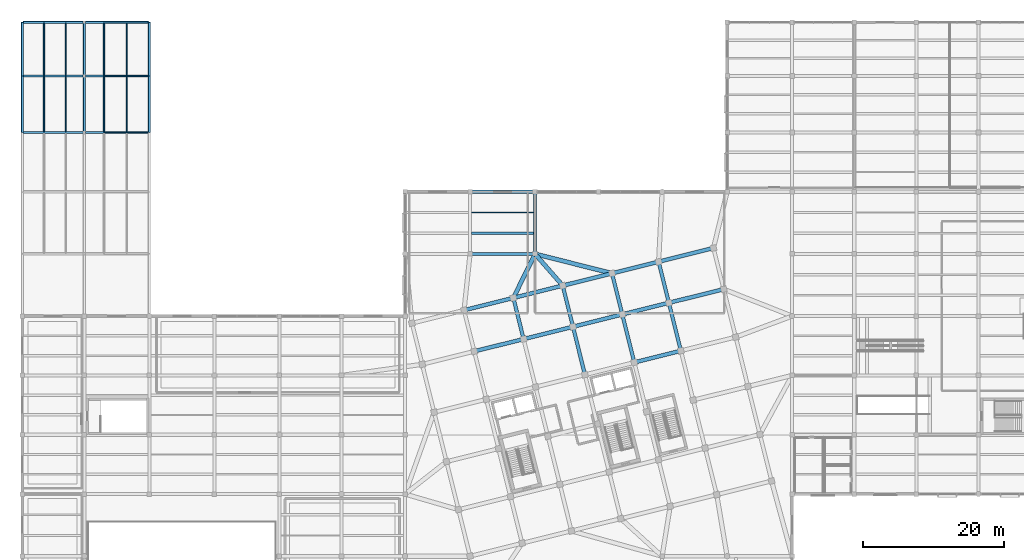
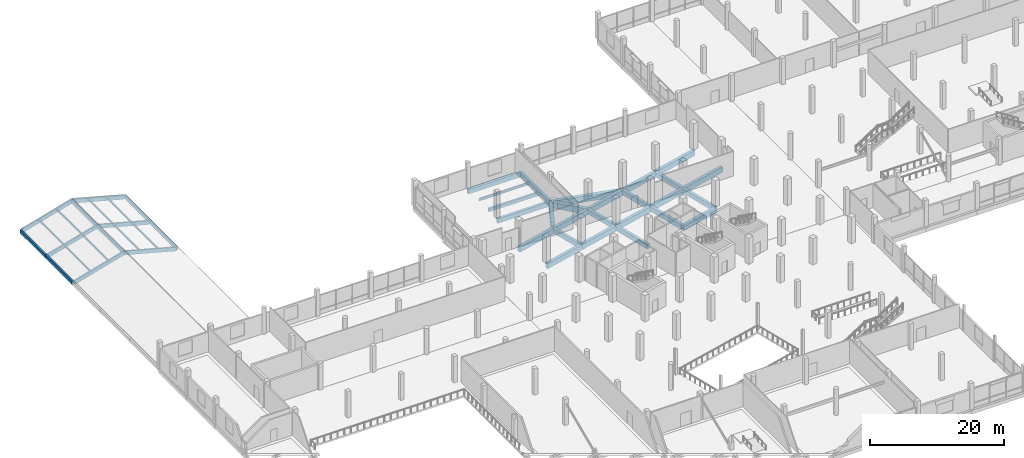
# One storey, part 32 of 71: 38 beams, 8 members.
"""IFC4 building model written with IfcOpenShell, lengths in metres."""

from ifc_helpers import new_model, si_unit, direction, frame, origin, origin_2d, place, context, subcontext, project, spatial, rectangle, i_section, extrude, material, material_profile, profile_set, type_object, element, save


model = new_model("IFC4")

# Units and contexts
model_context = context("Model", 3, precision=1e-05, world=origin(), true_north=direction((0.0, 1.0)))
body_context = subcontext(model_context, "Body", "Model", "MODEL_VIEW")
ifc_project = project(units=[si_unit("LENGTHUNIT", "METRE"), si_unit("AREAUNIT", "SQUARE_METRE"), si_unit("VOLUMEUNIT", "CUBIC_METRE"), si_unit("PLANEANGLEUNIT", "RADIAN"), si_unit("MASSUNIT", "GRAM", prefix="KILO")], contexts=[model_context])

# Site, building, storey
site_placement = place(None, origin())
site = spatial("IfcSite", under=ifc_project, at=site_placement, CompositionType="ELEMENT")
building_placement = place(site_placement, origin())
building = spatial("IfcBuilding", under=site, at=building_placement, Name="Meriwether Solvik Hall", CompositionType="ELEMENT")
storey_placement = place(building_placement, frame((0.0, 0.0, 5.10009765625)))
storey = spatial("IfcBuildingStorey", under=building, at=storey_placement, Name="L01", CompositionType="ELEMENT", Elevation=5.10009765625)

# Beams
ifc_material_1 = material(Name="Glulam Douglas-Fir 24F-V8 GL28h", Category="wood")
ifc_material_profile_1 = material_profile(ifc_material_1, rectangle(XDim=0.27294921875, YDim=0.610107421875, at=origin_2d()), Name="GLB-273X610")
ifc_profile_set_1 = profile_set([ifc_material_profile_1], Name="Glulam Douglas-Fir 24F-V8 GL28h")
beam_type_1 = type_object("IfcBeamType", Name="BM-GL-273X610", PredefinedType="SPANDREL", material=ifc_profile_set_1)
beam_1_placement = place(storey_placement, frame((5.199951171875, 101.199951171875, -0.32421875), z_axis=(0.0, 1.0, 0.0), x_axis=(-1.0, 0.0, 0.0)))
element("IfcBeam", 1, at=beam_1_placement, inside=storey, type_object=beam_type_1, Name="Roof Tie Beam 1:L-M (L01)", PredefinedType="SPANDREL", context=body_context, shape_type="SweptSolid", body=[
    extrude(rectangle(XDim=0.27294921875, YDim=0.610107421875, at=origin_2d()), origin(), (0.0, 0.0, 1.0), 8.0),
])
beam_2_placement = place(storey_placement, frame((5.199951171875, 109.199951171875, -0.32421875), z_axis=(0.0, 1.0, 0.0), x_axis=(-1.0, 0.0, 0.0)))
element("IfcBeam", 2, at=beam_2_placement, inside=storey, type_object=beam_type_1, Name="Roof Tie Beam 1:M-N (L01)", PredefinedType="SPANDREL", context=body_context, shape_type="SweptSolid", body=[
    extrude(rectangle(XDim=0.27294921875, YDim=0.610107421875, at=origin_2d()), origin(), (0.0, 0.0, 1.0), 7.60009765625),
])
beam_3_placement = place(storey_placement, frame((14.0, 101.199951171875, 2.15576171875), z_axis=(0.0, 1.0, 0.0), x_axis=(-1.0, 0.0, 0.0)))
element("IfcBeam", 3, at=beam_3_placement, inside=storey, type_object=beam_type_1, Name="Roof Tie Beam 2:L-M (L01)", PredefinedType="SPANDREL", context=body_context, shape_type="SweptSolid", body=[
    extrude(rectangle(XDim=0.27294921875, YDim=0.610107421875, at=origin_2d()), origin(), (0.0, 0.0, 1.0), 8.0),
])
beam_4_placement = place(storey_placement, frame((14.0, 109.199951171875, 2.15576171875), z_axis=(0.0, 1.0, 0.0), x_axis=(-1.0, 0.0, 0.0)))
element("IfcBeam", 4, at=beam_4_placement, inside=storey, type_object=beam_type_1, Name="Roof Tie Beam 2:M-N (L01)", PredefinedType="SPANDREL", context=body_context, shape_type="SweptSolid", body=[
    extrude(rectangle(XDim=0.27294921875, YDim=0.610107421875, at=origin_2d()), origin(), (0.0, 0.0, 1.0), 7.60009765625),
])
beam_5_placement = place(storey_placement, frame((23.199951171875, 101.199951171875, -0.32373046875), z_axis=(0.0, 1.0, 0.0), x_axis=(-1.0, 0.0, 0.0)))
element("IfcBeam", 5, at=beam_5_placement, inside=storey, type_object=beam_type_1, Name="Roof Tie Beam 3:L-M (L01)", PredefinedType="SPANDREL", context=body_context, shape_type="SweptSolid", body=[
    extrude(rectangle(XDim=0.27294921875, YDim=0.610107421875, at=origin_2d()), origin(), (0.0, 0.0, 1.0), 8.0),
])
beam_6_placement = place(storey_placement, frame((23.199951171875, 109.199951171875, -0.32373046875), z_axis=(0.0, 1.0, 0.0), x_axis=(-1.0, 0.0, 0.0)))
element("IfcBeam", 6, at=beam_6_placement, inside=storey, type_object=beam_type_1, Name="Roof Tie Beam 3:M-N (L01)", PredefinedType="SPANDREL", context=body_context, shape_type="SweptSolid", body=[
    extrude(rectangle(XDim=0.27294921875, YDim=0.610107421875, at=origin_2d()), origin(), (0.0, 0.0, 1.0), 7.60009765625),
])
ifc_material_2 = material(Name="Glulam Douglas-Fir 24F-V8 GL28h", Category="wood")
ifc_material_profile_2 = material_profile(ifc_material_2, rectangle(XDim=0.27294921875, YDim=0.68505859375, at=origin_2d()), Name="GLB-273X685")
ifc_profile_set_2 = profile_set([ifc_material_profile_2], Name="Glulam Douglas-Fir 24F-V8 GL28h")
beam_type_2 = type_object("IfcBeamType", Name="BM-GL-273X685", PredefinedType="BEAM", material=ifc_profile_set_2)
for number, where, z_axis, x_axis, name in (
    (7, (5.4208984375, 101.199951171875, -0.31298828125), (0.962504746474, 0.0, 0.271264839252), (0.0, 1.0, 0.0), "Raking Glulam Roof Rafter w0_gbl_w-L (L01)"),
    (8, (5.4208984375, 109.199951171875, -0.31298828125), (0.962504746474, 0.0, 0.271264839252), (0.0, 1.0, 0.0), "Raking Glulam Roof Rafter w0_gbl_w-M (L01)"),
    (9, (5.4208984375, 116.800048828125, -0.31298828125), (0.962504746474, 0.0, 0.271264839252), (0.0, 1.0, 0.0), "Raking Glulam Roof Rafter w0_gbl_w-N (L01)"),
):
    element("IfcBeam", number, at=place(storey_placement, frame(where, z_axis=z_axis, x_axis=x_axis)), inside=storey, type_object=beam_type_2, Name=name, PredefinedType="BEAM", context=body_context, shape_type="SweptSolid", body=[
        extrude(rectangle(XDim=0.27294921875, YDim=0.68505859375, at=origin_2d()), origin(), (0.0, 0.0, 1.0), 8.876708984375),
    ])
for number, where, z_axis, x_axis, name in (
    (10, (22.98291015625, 101.199951171875, -0.31494140625), (-0.965538102736, 0.0, 0.260261737806), (0.0, -1.0, 0.0), "Raking Glulam Roof Rafter w0_gbl_e-L (L01)"),
    (11, (22.98291015625, 109.199951171875, -0.31494140625), (-0.965538102736, 0.0, 0.260261737806), (0.0, -1.0, 0.0), "Raking Glulam Roof Rafter w0_gbl_e-M (L01)"),
    (12, (22.98291015625, 116.800048828125, -0.31494140625), (-0.965538102736, 0.0, 0.260261737806), (0.0, -1.0, 0.0), "Raking Glulam Roof Rafter w0_gbl_e-N (L01)"),
):
    element("IfcBeam", number, at=place(storey_placement, frame(where, z_axis=z_axis, x_axis=x_axis)), inside=storey, type_object=beam_type_2, Name=name, PredefinedType="BEAM", context=body_context, shape_type="SweptSolid", body=[
        extrude(rectangle(XDim=0.27294921875, YDim=0.68505859375, at=origin_2d()), origin(), (0.0, 0.0, 1.0), 9.263427734375),
    ])
ifc_material_3 = material(Name="Concrete C40/50", Category="concrete")
ifc_material_profile_3 = material_profile(ifc_material_3, rectangle(XDim=0.35009765625, YDim=0.60009765625, at=origin_2d()), Name="RCB-350X600")
ifc_profile_set_3 = profile_set([ifc_material_profile_3], Name="Concrete C40/50")
beam_type_3 = type_object("IfcBeamType", Name="BM-RC-350X600", PredefinedType="JOIST", material=ifc_profile_set_3)
beam_7_placement = place(storey_placement, frame((68.820068359375, 86.933349609375, -0.60009765625), z_axis=(1.0, 0.0, 0.0), x_axis=(0.0, 1.0, 0.0)))
element("IfcBeam", 13, at=beam_7_placement, inside=storey, type_object=beam_type_3, Name="Secondary Floor Joist 8/J_J1 (L01)", PredefinedType="JOIST", context=body_context, shape_type="SweptSolid", body=[
    extrude(rectangle(XDim=0.35009765625, YDim=0.60009765625, at=origin_2d()), origin(), (0.0, 0.0, 1.0), 8.760009765625),
])
ifc_material_4 = material(Name="Concrete C40/50", Category="concrete")
ifc_material_profile_4 = material_profile(ifc_material_4, rectangle(XDim=0.449951171875, YDim=0.699951171875, at=origin_2d()), Name="RCB-450X700")
ifc_profile_set_4 = profile_set([ifc_material_profile_4], Name="Concrete C40/50")
beam_type_4 = type_object("IfcBeamType", Name="BM-RC-450X700", PredefinedType="BEAM", material=ifc_profile_set_4)
beam_8_placement = place(storey_placement, frame((77.800048828125, 84.0, -0.650146484375), z_axis=(0.0, 1.0, 0.0), x_axis=(-1.0, 0.0, 0.0)))
element("IfcBeam", 14, at=beam_8_placement, inside=storey, type_object=beam_type_4, Name="Podium Girder 9:J-K (L01)", PredefinedType="BEAM", context=body_context, shape_type="SweptSolid", body=[
    extrude(rectangle(XDim=0.449951171875, YDim=0.699951171875, at=origin_2d()), origin(), (0.0, 0.0, 1.0), 8.800048828125),
])
ifc_material_5 = material(Name="Concrete C40/50", Category="concrete")
ifc_material_profile_5 = material_profile(ifc_material_5, rectangle(XDim=0.449951171875, YDim=0.800048828125, at=origin_2d()), Name="RCB-450X800")
ifc_profile_set_5 = profile_set([ifc_material_profile_5], Name="Concrete C40/50")
beam_type_5 = type_object("IfcBeamType", Name="BM-RC-450X800", PredefinedType="BEAM", material=ifc_profile_set_5)
for number, where, z_axis, x_axis, name in (
    (15, (68.60009765625, 84.0, -0.7001953125), (1.0, 0.0, 0.0), (0.0, 1.0, 0.0), "Podium Girder J:8-9 (L01)"),
    (16, (68.60009765625, 92.800048828125, -0.7001953125), (1.0, 0.0, 0.0), (0.0, 1.0, 0.0), "Podium Girder K:8-9 (L01)"),
):
    element("IfcBeam", number, at=place(storey_placement, frame(where, z_axis=z_axis, x_axis=x_axis)), inside=storey, type_object=beam_type_5, Name=name, PredefinedType="BEAM", context=body_context, shape_type="SweptSolid", body=[
        extrude(rectangle(XDim=0.449951171875, YDim=0.800048828125, at=origin_2d()), origin(), (0.0, 0.0, 1.0), 9.199951171875),
    ])
ifc_material_6 = material(Name="Concrete C40/50", Category="concrete")
ifc_material_profile_6 = material_profile(ifc_material_6, rectangle(XDim=0.5, YDim=0.85009765625, at=origin_2d()), Name="RCB-500X850")
ifc_profile_set_6 = profile_set([ifc_material_profile_6], Name="Concrete C40/50")
beam_type_6 = type_object("IfcBeamType", Name="BM-RC-500X850", PredefinedType="BEAM", material=ifc_profile_set_6)
beam_9_placement = place(storey_placement, frame((76.1865234375, 71.94873046875, -0.72509765625), z_axis=(-0.241903677572, 0.970300268359, 0.0), x_axis=(-0.970300268359, -0.241903677572, 0.0)))
element("IfcBeam", 17, at=beam_9_placement, inside=storey, type_object=beam_type_6, Name="Tower Girder T3:TE-TF (L01)", PredefinedType="BEAM", context=body_context, shape_type="SweptSolid", body=[
    extrude(rectangle(XDim=0.5, YDim=0.85009765625, at=origin_2d()), origin(), (0.0, 0.0, 1.0), 6.0),
])
beam_10_placement = place(storey_placement, frame((84.8662109375, 66.8984375, -0.72509765625), z_axis=(-0.241936527961, 0.970292077901, 0.0), x_axis=(-0.970292077901, -0.241936527961, 0.0)))
element("IfcBeam", 18, at=beam_10_placement, inside=storey, type_object=beam_type_6, Name="Tower Girder T4:TD-TE (L01)", PredefinedType="BEAM", context=body_context, shape_type="SweptSolid", body=[
    extrude(rectangle(XDim=0.5, YDim=0.85009765625, at=origin_2d()), origin(), (0.0, 0.0, 1.0), 7.000244140625),
])
beam_11_placement = place(storey_placement, frame((83.172607421875, 73.690673828125, -0.72509765625), z_axis=(-0.241903677572, 0.970300268359, 0.0), x_axis=(-0.970300268359, -0.241903677572, 0.0)))
element("IfcBeam", 19, at=beam_11_placement, inside=storey, type_object=beam_type_6, Name="Tower Girder T4:TE-TF (L01)", PredefinedType="BEAM", context=body_context, shape_type="SweptSolid", body=[
    extrude(rectangle(XDim=0.5, YDim=0.85009765625, at=origin_2d()), origin(), (0.0, 0.0, 1.0), 6.0),
])
beam_12_placement = place(storey_placement, frame((91.852294921875, 68.640380859375, -0.72509765625), z_axis=(-0.241911879182, 0.970298223594, 0.0), x_axis=(-0.970298223594, -0.241911879182, 0.0)))
element("IfcBeam", 20, at=beam_12_placement, inside=storey, type_object=beam_type_6, Name="Tower Girder T5:TD-TE (L01)", PredefinedType="BEAM", context=body_context, shape_type="SweptSolid", body=[
    extrude(rectangle(XDim=0.5, YDim=0.85009765625, at=origin_2d()), origin(), (0.0, 0.0, 1.0), 7.0),
])
beam_13_placement = place(storey_placement, frame((90.158935546875, 75.432373046875, -0.72509765625), z_axis=(-0.241941986192, 0.970290716908, 0.0), x_axis=(-0.970290716908, -0.241941986192, 0.0)))
element("IfcBeam", 21, at=beam_13_placement, inside=storey, type_object=beam_type_6, Name="Tower Girder T5:TE-TF (L01)", PredefinedType="BEAM", context=body_context, shape_type="SweptSolid", body=[
    extrude(rectangle(XDim=0.5, YDim=0.85009765625, at=origin_2d()), origin(), (0.0, 0.0, 1.0), 6.0),
])
beam_14_placement = place(storey_placement, frame((98.4501953125, 70.285400390625, -0.72509765625), z_axis=(-0.241911879182, 0.970298223594, 0.0), x_axis=(-0.970298223594, -0.241911879182, 0.0)))
element("IfcBeam", 22, at=beam_14_placement, inside=storey, type_object=beam_type_6, Name="Tower Girder T6:TD-TE (L01)", PredefinedType="BEAM", context=body_context, shape_type="SweptSolid", body=[
    extrude(rectangle(XDim=0.5, YDim=0.85009765625, at=origin_2d()), origin(), (0.0, 0.0, 1.0), 7.0),
])
beam_15_placement = place(storey_placement, frame((96.7568359375, 77.077392578125, -0.72509765625), z_axis=(-0.241903677572, 0.970300268359, 0.0), x_axis=(-0.970300268359, -0.241903677572, 0.0)))
element("IfcBeam", 23, at=beam_15_placement, inside=storey, type_object=beam_type_6, Name="Tower Girder T6:TE-TF (L01)", PredefinedType="BEAM", context=body_context, shape_type="SweptSolid", body=[
    extrude(rectangle(XDim=0.5, YDim=0.85009765625, at=origin_2d()), origin(), (0.0, 0.0, 1.0), 6.0),
])
ifc_material_7 = material(Name="Concrete C40/50", Category="concrete")
ifc_material_profile_7 = material_profile(ifc_material_7, rectangle(XDim=0.550048828125, YDim=0.949951171875, at=origin_2d()), Name="RCB-550X950")
ifc_profile_set_7 = profile_set([ifc_material_profile_7], Name="Concrete C40/50")
beam_type_7 = type_object("IfcBeamType", Name="BM-RC-550X950", PredefinedType="BEAM", material=ifc_profile_set_7)
beam_16_placement = place(storey_placement, frame((91.852294921875, 68.640380859375, -0.775146484375), z_axis=(0.970296478685, 0.241918877831, 0.0), x_axis=(-0.241918877831, 0.970296478685, 0.0)))
element("IfcBeam", 24, at=beam_16_placement, inside=storey, type_object=beam_type_7, Name="Tower Girder TD:T5-T6 (L01)", PredefinedType="BEAM", context=body_context, shape_type="SweptSolid", body=[
    extrude(rectangle(XDim=0.550048828125, YDim=0.949951171875, at=origin_2d()), origin(), (0.0, 0.0, 1.0), 6.7998046875),
])
for number, where, z_axis, x_axis, name in (
    (25, (69.200439453125, 70.206787109375, -0.775146484375), (0.970291911955, 0.241937193493, 0.0), (-0.241937193493, 0.970291911955, 0.0), "Tower Girder TE:T2-T3 (L01)"),
    (26, (76.1865234375, 71.94873046875, -0.775146484375), (0.970291911955, 0.241937193493, 0.0), (-0.241937193493, 0.970291911955, 0.0), "Tower Girder TE:T3-T4 (L01)"),
):
    element("IfcBeam", number, at=place(storey_placement, frame(where, z_axis=z_axis, x_axis=x_axis)), inside=storey, type_object=beam_type_7, Name=name, PredefinedType="BEAM", context=body_context, shape_type="SweptSolid", body=[
        extrude(rectangle(XDim=0.550048828125, YDim=0.949951171875, at=origin_2d()), origin(), (0.0, 0.0, 1.0), 7.199951171875),
    ])
beam_17_placement = place(storey_placement, frame((83.172607421875, 73.690673828125, -0.775146484375), z_axis=(0.970301855688, 0.241897310542, 0.0), x_axis=(-0.241897310542, 0.970301855688, 0.0)))
element("IfcBeam", 27, at=beam_17_placement, inside=storey, type_object=beam_type_7, Name="Tower Girder TE:T4-T5 (L01)", PredefinedType="BEAM", context=body_context, shape_type="SweptSolid", body=[
    extrude(rectangle(XDim=0.550048828125, YDim=0.949951171875, at=origin_2d()), origin(), (0.0, 0.0, 1.0), 7.2001953125),
])
beam_18_placement = place(storey_placement, frame((90.158935546875, 75.432373046875, -0.775146484375), z_axis=(0.970296478685, 0.241918877831, 0.0), x_axis=(-0.241918877831, 0.970296478685, 0.0)))
element("IfcBeam", 28, at=beam_18_placement, inside=storey, type_object=beam_type_7, Name="Tower Girder TE:T5-T6 (L01)", PredefinedType="BEAM", context=body_context, shape_type="SweptSolid", body=[
    extrude(rectangle(XDim=0.550048828125, YDim=0.949951171875, at=origin_2d()), origin(), (0.0, 0.0, 1.0), 6.7998046875),
])
beam_19_placement = place(storey_placement, frame((96.7568359375, 77.077392578125, -0.775146484375), z_axis=(0.970291312354, 0.241939598187, 0.0), x_axis=(-0.241939598187, 0.970291312354, 0.0)))
element("IfcBeam", 29, at=beam_19_placement, inside=storey, type_object=beam_type_7, Name="Tower Girder TE:T6-T7 (L01)", PredefinedType="BEAM", context=body_context, shape_type="SweptSolid", body=[
    extrude(rectangle(XDim=0.550048828125, YDim=0.949951171875, at=origin_2d()), origin(), (0.0, 0.0, 1.0), 8.000244140625),
])
for number, where, z_axis, x_axis, name in (
    (30, (67.7490234375, 76.028564453125, -0.775146484375), (0.970291911955, 0.241937193493, 0.0), (-0.241937193493, 0.970291911955, 0.0), "Tower Girder TF:T2-T3 (L01)"),
    (31, (74.735107421875, 77.7705078125, -0.775146484375), (0.970291911955, 0.241937193493, 0.0), (-0.241937193493, 0.970291911955, 0.0), "Tower Girder TF:T3-T4 (L01)"),
    (32, (81.72119140625, 79.512451171875, -0.775146484375), (0.970299871507, 0.241905269381, 0.0), (-0.241905269381, 0.970299871507, 0.0), "Tower Girder TF:T4-T5 (L01)"),
):
    element("IfcBeam", number, at=place(storey_placement, frame(where, z_axis=z_axis, x_axis=x_axis)), inside=storey, type_object=beam_type_7, Name=name, PredefinedType="BEAM", context=body_context, shape_type="SweptSolid", body=[
        extrude(rectangle(XDim=0.550048828125, YDim=0.949951171875, at=origin_2d()), origin(), (0.0, 0.0, 1.0), 7.199951171875),
    ])
beam_20_placement = place(storey_placement, frame((88.707275390625, 81.254150390625, -0.775146484375), z_axis=(0.970298579828, 0.24191045034, 0.0), x_axis=(-0.24191045034, 0.970298579828, 0.0)))
element("IfcBeam", 33, at=beam_20_placement, inside=storey, type_object=beam_type_7, Name="Tower Girder TF:T5-T6 (L01)", PredefinedType="BEAM", context=body_context, shape_type="SweptSolid", body=[
    extrude(rectangle(XDim=0.550048828125, YDim=0.949951171875, at=origin_2d()), origin(), (0.0, 0.0, 1.0), 6.800048828125),
])
beam_21_placement = place(storey_placement, frame((95.305419921875, 82.899169921875, -0.775146484375), z_axis=(0.970289525963, 0.24194676234, 0.0), x_axis=(-0.24194676234, 0.970289525963, 0.0)))
element("IfcBeam", 34, at=beam_21_placement, inside=storey, type_object=beam_type_7, Name="Tower Girder TF:T6-T7 (L01)", PredefinedType="BEAM", context=body_context, shape_type="SweptSolid", body=[
    extrude(rectangle(XDim=0.550048828125, YDim=0.949951171875, at=origin_2d()), origin(), (0.0, 0.0, 1.0), 8.0),
])
ifc_material_8 = material(Name="Concrete C40/50", Category="concrete")
ifc_material_profile_8 = material_profile(ifc_material_8, rectangle(XDim=0.60009765625, YDim=1.050048828125, at=origin_2d()), Name="RCB-600X1050")
ifc_profile_set_8 = profile_set([ifc_material_profile_8], Name="Concrete C40/50")
beam_type_8 = type_object("IfcBeamType", Name="BM-RC-600X1050", PredefinedType="BEAM", material=ifc_profile_set_8)
beam_22_placement = place(storey_placement, frame((74.735107421875, 77.7705078125, -0.8251953125), z_axis=(0.44146540955, 0.897278269084, 0.0), x_axis=(-0.897278269084, 0.44146540955, 0.0)))
element("IfcBeam", 35, at=beam_22_placement, inside=storey, type_object=beam_type_8, Name="Diaphragm Collector Girder T3/TF-9/J (L01)", PredefinedType="BEAM", context=body_context, shape_type="SweptSolid", body=[
    extrude(rectangle(XDim=0.60009765625, YDim=1.050048828125, at=origin_2d()), origin(), (0.0, 0.0, 1.0), 6.942626953125),
])
beam_23_placement = place(storey_placement, frame((81.72119140625, 79.512451171875, -0.8251953125), z_axis=(-0.657985282871, 0.7530307879, 0.0), x_axis=(-0.7530307879, -0.657985282871, 0.0)))
element("IfcBeam", 36, at=beam_23_placement, inside=storey, type_object=beam_type_8, Name="Diaphragm Collector Girder T4/TF-9/J (L01)", PredefinedType="BEAM", context=body_context, shape_type="SweptSolid", body=[
    extrude(rectangle(XDim=0.60009765625, YDim=1.050048828125, at=origin_2d()), origin(), (0.0, 0.0, 1.0), 5.959228515625),
])
beam_24_placement = place(storey_placement, frame((88.707275390625, 81.254150390625, -0.8251953125), z_axis=(-0.969742820247, 0.244128782776, 0.0), x_axis=(-0.244128782776, -0.969742820247, 0.0)))
element("IfcBeam", 37, at=beam_24_placement, inside=storey, type_object=beam_type_8, Name="Diaphragm Collector Girder T5/TF-9/J (L01)", PredefinedType="BEAM", context=body_context, shape_type="SweptSolid", body=[
    extrude(rectangle(XDim=0.60009765625, YDim=1.050048828125, at=origin_2d()), origin(), (0.0, 0.0, 1.0), 11.24755859375),
])
ifc_material_9 = material(Name="Steel A992 Grade 50", Category="steel")
ifc_material_profile_9 = material_profile(ifc_material_9, i_section(OverallWidth=0.19091796875, OverallDepth=0.45703125, WebThickness=0.009033203125, FlangeThickness=0.014404296875, at=origin_2d()), Name="W18X50")
ifc_profile_set_9 = profile_set([ifc_material_profile_9], Name="Steel A992 Grade 50")
beam_type_9 = type_object("IfcBeamType", Name="BM-STL-W18X50", PredefinedType="JOIST", material=ifc_profile_set_9)
beam_25_placement = place(storey_placement, frame((68.820068359375, 89.86669921875, -0.528564453125), z_axis=(1.0, 0.0, 0.0), x_axis=(0.0, 1.0, 0.0)))
element("IfcBeam", 38, at=beam_25_placement, inside=storey, type_object=beam_type_9, Name="Secondary Floor Joist 8/J_J2 (L01)", PredefinedType="JOIST", context=body_context, shape_type="SweptSolid", body=[
    extrude(i_section(OverallWidth=0.19091796875, OverallDepth=0.45703125, WebThickness=0.009033203125, FlangeThickness=0.014404296875, at=origin_2d()), origin(), (0.0, 0.0, 1.0), 8.760009765625),
])

# Members
ifc_material_10 = material(Name="Glulam Douglas-Fir 24F-V8 GL28h", Category="wood")
ifc_material_profile_10 = material_profile(ifc_material_10, rectangle(XDim=0.175048828125, YDim=0.304931640625, at=origin_2d()), Name="GLM-175X305")
ifc_profile_set_10 = profile_set([ifc_material_profile_10], Name="Glulam Douglas-Fir 24F-V8 GL28h")
member_type = type_object("IfcMemberType", Name="MEM-PRL-GL175", PredefinedType="PURLIN", material=ifc_profile_set_10)
for number, where, z_axis, x_axis, name in (
    (39, (8.280029296875, 101.33251953125, 0.6962890625), (0.0, 1.0, 0.0), (-1.0, 0.0, 0.0), "Sloped Roof Glulam Purlin w0_gbl_w-3.1"),
    (40, (11.360107421875, 101.33251953125, 1.564208984375), (0.0, 1.0, 0.0), (-1.0, 0.0, 0.0), "Sloped Roof Glulam Purlin w0_gbl_w-3.2"),
):
    element("IfcMember", number, at=place(storey_placement, frame(where, z_axis=z_axis, x_axis=x_axis)), inside=storey, type_object=member_type, Name=name, PredefinedType="PURLIN", context=body_context, shape_type="SweptSolid", body=[
        extrude(rectangle(XDim=0.175048828125, YDim=0.304931640625, at=origin_2d()), origin(), (0.0, 0.0, 1.0), 7.73486328125),
    ])
for number, where, z_axis, x_axis, name in (
    (41, (8.280029296875, 109.33251953125, 0.6962890625), (0.0, 1.0, 0.0), (-1.0, 0.0, 0.0), "Sloped Roof Glulam Purlin w0_gbl_w-4.1"),
    (42, (11.360107421875, 109.33251953125, 1.564208984375), (0.0, 1.0, 0.0), (-1.0, 0.0, 0.0), "Sloped Roof Glulam Purlin w0_gbl_w-4.2"),
):
    element("IfcMember", number, at=place(storey_placement, frame(where, z_axis=z_axis, x_axis=x_axis)), inside=storey, type_object=member_type, Name=name, PredefinedType="PURLIN", context=body_context, shape_type="SweptSolid", body=[
        extrude(rectangle(XDim=0.175048828125, YDim=0.304931640625, at=origin_2d()), origin(), (0.0, 0.0, 1.0), 7.3349609375),
    ])
for number, where, z_axis, x_axis, name in (
    (43, (19.97998046875, 101.33251953125, 0.69677734375), (0.0, 1.0, 0.0), (-1.0, 0.0, 0.0), "Sloped Roof Glulam Purlin w0_gbl_e-3.1"),
    (44, (16.760009765625, 101.33251953125, 1.564697265625), (0.0, 1.0, 0.0), (-1.0, 0.0, 0.0), "Sloped Roof Glulam Purlin w0_gbl_e-3.2"),
):
    element("IfcMember", number, at=place(storey_placement, frame(where, z_axis=z_axis, x_axis=x_axis)), inside=storey, type_object=member_type, Name=name, PredefinedType="PURLIN", context=body_context, shape_type="SweptSolid", body=[
        extrude(rectangle(XDim=0.175048828125, YDim=0.304931640625, at=origin_2d()), origin(), (0.0, 0.0, 1.0), 7.73486328125),
    ])
for number, where, z_axis, x_axis, name in (
    (45, (19.97998046875, 109.33251953125, 0.69677734375), (0.0, 1.0, 0.0), (-1.0, 0.0, 0.0), "Sloped Roof Glulam Purlin w0_gbl_e-4.1"),
    (46, (16.760009765625, 109.33251953125, 1.564697265625), (0.0, 1.0, 0.0), (-1.0, 0.0, 0.0), "Sloped Roof Glulam Purlin w0_gbl_e-4.2"),
):
    element("IfcMember", number, at=place(storey_placement, frame(where, z_axis=z_axis, x_axis=x_axis)), inside=storey, type_object=member_type, Name=name, PredefinedType="PURLIN", context=body_context, shape_type="SweptSolid", body=[
        extrude(rectangle(XDim=0.175048828125, YDim=0.304931640625, at=origin_2d()), origin(), (0.0, 0.0, 1.0), 7.3349609375),
    ])

save(model, "model.ifc")
